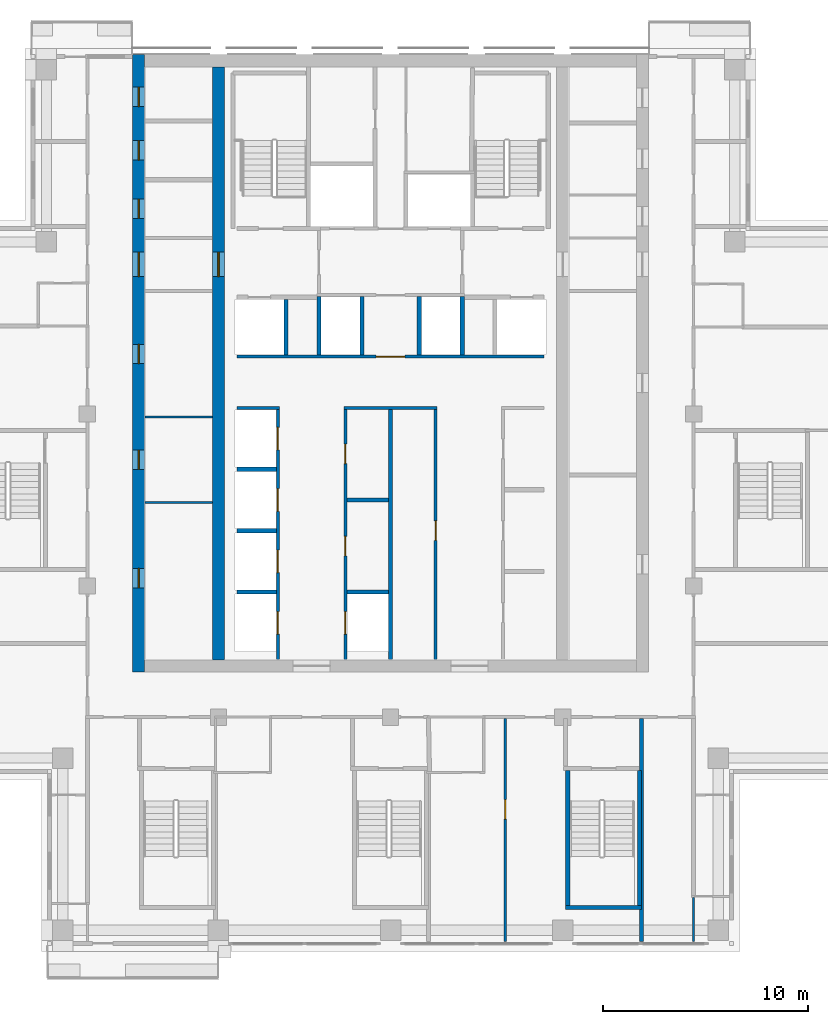
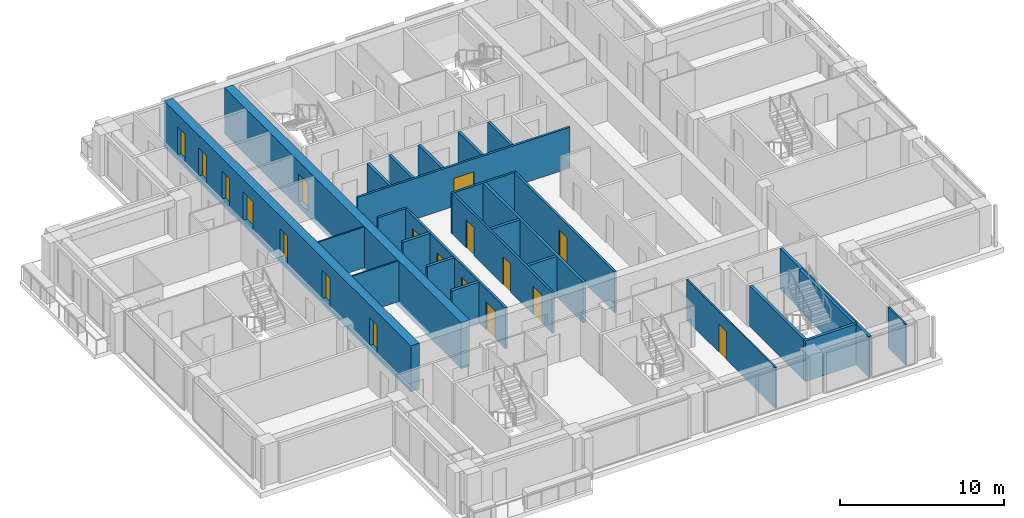
# One storey, part 9 of 16: 27 walls, 18 doors, 18 openings.
"""IFC4 building model written with IfcOpenShell, lengths in metres."""

from ifc_helpers import new_model, si_unit, direction, frame, frame_2d, origin, place, context, subcontext, project, spatial, rectangle, extrude, material, layer, layer_set, type_object, element, fill, save


model = new_model("IFC4")

# Units and contexts
model_context = context("Model", 3, precision=1e-05, world=origin(), true_north=direction((0.0, 1.0)))
body_context = subcontext(model_context, "Body", "Model", "MODEL_VIEW")
ifc_project = project(units=[si_unit("LENGTHUNIT", "METRE"), si_unit("AREAUNIT", "SQUARE_METRE"), si_unit("VOLUMEUNIT", "CUBIC_METRE"), si_unit("PLANEANGLEUNIT", "RADIAN"), si_unit("MASSUNIT", "GRAM", prefix="KILO")], contexts=[model_context])

# Site, building, storey
site_placement = place(None, origin())
site = spatial("IfcSite", under=ifc_project, at=site_placement, CompositionType="ELEMENT")
building_placement = place(site_placement, origin())
building = spatial("IfcBuilding", under=site, at=building_placement, Name="Vermilion Ogive Tower", CompositionType="ELEMENT")
storey_placement = place(building_placement, frame((0.0, 0.0, 179.0)))
storey = spatial("IfcBuildingStorey", under=building, at=storey_placement, Name="L46", CompositionType="ELEMENT", Elevation=179.0)

# Wall, openings, doors
ifc_material_1 = material(Name="Concrete B60", Category="concrete")
ifc_layer_1 = layer(ifc_material_1, 0.60009765625)
ifc_layer_set_1 = layer_set([ifc_layer_1], Name="Core wall 600 B60")
wall_type_1 = type_object("IfcWallType", Name="Core wall 600 B60", PredefinedType="SHEAR", material=ifc_layer_set_1)
wall_1_placement = place(storey_placement, frame((-12.300048828125, -8.39990234375, -0.39990234375), z_axis=(0.0, 0.0, 1.0), x_axis=(0.0, 1.0, 0.0)))
wall_1 = element("IfcWall", 1, at=wall_1_placement, inside=storey, type_object=wall_type_1, Name="L46-CORE-W", PredefinedType="SHEAR", context=body_context, shape_type="SweptSolid", body=[
    extrude(rectangle(XDim=30.14990234375, YDim=0.60009765625, at=frame_2d((15.074951171875, 0.0))), origin(), (0.0, 0.0, 1.0), 3.449951171875),
])
opening_1_placement = place(wall_1_placement, frame((4.112548828125, 0.0, 0.39990234375)))
opening_1 = element("IfcOpeningElement", 2, at=opening_1_placement, cuts=wall_1, Name="Opening DAD067", PredefinedType="OPENING", context=body_context, shape_type="SweptSolid", body=[
    extrude(rectangle(XDim=0.949951171875, YDim=2.10009765625, at=frame_2d((0.47509765625, 1.050048828125))), frame((0.0, 0.31005859375, 0.0), z_axis=(0.0, -1.0, 0.0), x_axis=(1.0, 0.0, 0.0)), (0.0, 0.0, 1.0), 0.6201171875),
])
opening_2_placement = place(wall_1_placement, frame((9.8896484375, 0.0, 0.39990234375)))
opening_2 = element("IfcOpeningElement", 3, at=opening_2_placement, cuts=wall_1, Name="Opening DAD068", PredefinedType="OPENING", context=body_context, shape_type="SweptSolid", body=[
    extrude(rectangle(XDim=0.949951171875, YDim=2.10009765625, at=frame_2d((0.47509765625, 1.050048828125))), frame((0.0, 0.31005859375, 0.0), z_axis=(0.0, -1.0, 0.0), x_axis=(1.0, 0.0, 0.0)), (0.0, 0.0, 1.0), 0.6201171875),
])
opening_3_placement = place(wall_1_placement, frame((15.052001953125, 0.0, 0.39990234375)))
opening_3 = element("IfcOpeningElement", 4, at=opening_3_placement, cuts=wall_1, Name="Opening DAD069", PredefinedType="OPENING", context=body_context, shape_type="SweptSolid", body=[
    extrude(rectangle(XDim=0.949951171875, YDim=2.10009765625, at=frame_2d((0.47509765625, 1.050048828125))), frame((0.0, 0.31005859375, 0.0), z_axis=(0.0, -1.0, 0.0), x_axis=(1.0, 0.0, 0.0)), (0.0, 0.0, 1.0), 0.6201171875),
])
opening_4_placement = place(wall_1_placement, frame((22.1435546875, 0.0, 0.39990234375)))
opening_4 = element("IfcOpeningElement", 5, at=opening_4_placement, cuts=wall_1, Name="Opening DAD070", PredefinedType="OPENING", context=body_context, shape_type="SweptSolid", body=[
    extrude(rectangle(XDim=0.949951171875, YDim=2.10009765625, at=frame_2d((0.47509765625, 1.050048828125))), frame((0.0, 0.31005859375, 0.0), z_axis=(0.0, -1.0, 0.0), x_axis=(1.0, 0.0, 0.0)), (0.0, 0.0, 1.0), 0.6201171875),
])
opening_5_placement = place(wall_1_placement, frame((24.998291015625, 0.0, 0.39990234375)))
opening_5 = element("IfcOpeningElement", 6, at=opening_5_placement, cuts=wall_1, Name="Opening DAD071", PredefinedType="OPENING", context=body_context, shape_type="SweptSolid", body=[
    extrude(rectangle(XDim=0.949951171875, YDim=2.10009765625, at=frame_2d((0.47509765625, 1.050048828125))), frame((0.0, 0.31005859375, 0.0), z_axis=(0.0, -1.0, 0.0), x_axis=(1.0, 0.0, 0.0)), (0.0, 0.0, 1.0), 0.6201171875),
])
opening_6_placement = place(wall_1_placement, frame((27.604736328125, 0.0, 0.39990234375)))
opening_6 = element("IfcOpeningElement", 7, at=opening_6_placement, cuts=wall_1, Name="Opening DAD072", PredefinedType="OPENING", context=body_context, shape_type="SweptSolid", body=[
    extrude(rectangle(XDim=0.949951171875, YDim=2.10009765625, at=frame_2d((0.47509765625, 1.050048828125))), frame((0.0, 0.31005859375, 0.0), z_axis=(0.0, -1.0, 0.0), x_axis=(1.0, 0.0, 0.0)), (0.0, 0.0, 1.0), 0.6201171875),
])
opening_7_placement = place(wall_1_placement, frame((19.300048828125, 0.0, 0.39990234375)))
opening_7 = element("IfcOpeningElement", 8, at=opening_7_placement, cuts=wall_1, Name="Opening DAM018", PredefinedType="OPENING", context=body_context, shape_type="SweptSolid", body=[
    extrude(rectangle(XDim=1.199951171875, YDim=2.10009765625, at=frame_2d((0.60009765625, 1.050048828125))), frame((0.0, 0.31005859375, 0.0), z_axis=(0.0, -1.0, 0.0), x_axis=(1.0, 0.0, 0.0)), (0.0, 0.0, 1.0), 0.6201171875),
])
ifc_material_2 = material(Name="Timber door leaf", Category="wood")
door_type_1 = type_object("IfcDoorType", Name="Link door 1200 x 2100 FD60S", OperationType="SINGLE_SWING_LEFT", PredefinedType="DOOR", material=ifc_material_2)
door_1_placement = place(opening_7_placement, origin())
door_1 = element("IfcDoor", 9, at=door_1_placement, inside=storey, type_object=door_type_1, Name="L46-CKW-XL", OperationType="SINGLE_SWING_LEFT", OverallHeight=2.10009765625, OverallWidth=1.199951171875, PredefinedType="DOOR", context=body_context, shape_type="SweptSolid", body=[
    extrude(rectangle(XDim=1.199951171875, YDim=2.10009765625, at=frame_2d((0.60009765625, 1.050048828125))), frame((0.0, 0.02490234375, 0.0), z_axis=(0.0, -1.0, 0.0), x_axis=(1.0, 0.0, 0.0)), (0.0, 0.0, 1.0), 0.050048828125),
])
fill(opening_7, door_1)
ifc_material_3 = material(Name="Timber door leaf", Category="wood")
door_type_2 = type_object("IfcDoorType", Name="Service door 950 x 2100 FD60", OperationType="SINGLE_SWING_LEFT", PredefinedType="DOOR", material=ifc_material_3)
door_2_placement = place(opening_1_placement, origin())
door_2 = element("IfcDoor", 10, at=door_2_placement, inside=storey, type_object=door_type_2, Name="L46-CKW-XR0", OperationType="SINGLE_SWING_LEFT", OverallHeight=2.10009765625, OverallWidth=0.949951171875, PredefinedType="DOOR", context=body_context, shape_type="SweptSolid", body=[
    extrude(rectangle(XDim=0.949951171875, YDim=2.10009765625, at=frame_2d((0.47509765625, 1.050048828125))), frame((0.0, 0.02490234375, 0.0), z_axis=(0.0, -1.0, 0.0), x_axis=(1.0, 0.0, 0.0)), (0.0, 0.0, 1.0), 0.050048828125),
])
fill(opening_1, door_2)
door_3_placement = place(opening_2_placement, origin())
door_3 = element("IfcDoor", 11, at=door_3_placement, inside=storey, type_object=door_type_2, Name="L46-CKW-XR1", OperationType="SINGLE_SWING_LEFT", OverallHeight=2.10009765625, OverallWidth=0.949951171875, PredefinedType="DOOR", context=body_context, shape_type="SweptSolid", body=[
    extrude(rectangle(XDim=0.949951171875, YDim=2.10009765625, at=frame_2d((0.47509765625, 1.050048828125))), frame((0.0, 0.02490234375, 0.0), z_axis=(0.0, -1.0, 0.0), x_axis=(1.0, 0.0, 0.0)), (0.0, 0.0, 1.0), 0.050048828125),
])
fill(opening_2, door_3)
door_4_placement = place(opening_3_placement, origin())
door_4 = element("IfcDoor", 12, at=door_4_placement, inside=storey, type_object=door_type_2, Name="L46-CKW-XR2", OperationType="SINGLE_SWING_LEFT", OverallHeight=2.10009765625, OverallWidth=0.949951171875, PredefinedType="DOOR", context=body_context, shape_type="SweptSolid", body=[
    extrude(rectangle(XDim=0.949951171875, YDim=2.10009765625, at=frame_2d((0.47509765625, 1.050048828125))), frame((0.0, 0.02490234375, 0.0), z_axis=(0.0, -1.0, 0.0), x_axis=(1.0, 0.0, 0.0)), (0.0, 0.0, 1.0), 0.050048828125),
])
fill(opening_3, door_4)
door_5_placement = place(opening_4_placement, origin())
door_5 = element("IfcDoor", 13, at=door_5_placement, inside=storey, type_object=door_type_2, Name="L46-CKW-XR3", OperationType="SINGLE_SWING_LEFT", OverallHeight=2.10009765625, OverallWidth=0.949951171875, PredefinedType="DOOR", context=body_context, shape_type="SweptSolid", body=[
    extrude(rectangle(XDim=0.949951171875, YDim=2.10009765625, at=frame_2d((0.47509765625, 1.050048828125))), frame((0.0, 0.02490234375, 0.0), z_axis=(0.0, -1.0, 0.0), x_axis=(1.0, 0.0, 0.0)), (0.0, 0.0, 1.0), 0.050048828125),
])
fill(opening_4, door_5)
door_6_placement = place(opening_5_placement, origin())
door_6 = element("IfcDoor", 14, at=door_6_placement, inside=storey, type_object=door_type_2, Name="L46-CKW-XR4", OperationType="SINGLE_SWING_LEFT", OverallHeight=2.10009765625, OverallWidth=0.949951171875, PredefinedType="DOOR", context=body_context, shape_type="SweptSolid", body=[
    extrude(rectangle(XDim=0.949951171875, YDim=2.10009765625, at=frame_2d((0.47509765625, 1.050048828125))), frame((0.0, 0.02490234375, 0.0), z_axis=(0.0, -1.0, 0.0), x_axis=(1.0, 0.0, 0.0)), (0.0, 0.0, 1.0), 0.050048828125),
])
fill(opening_5, door_6)
door_7_placement = place(opening_6_placement, origin())
door_7 = element("IfcDoor", 15, at=door_7_placement, inside=storey, type_object=door_type_2, Name="L46-CKW-XR5", OperationType="SINGLE_SWING_LEFT", OverallHeight=2.10009765625, OverallWidth=0.949951171875, PredefinedType="DOOR", context=body_context, shape_type="SweptSolid", body=[
    extrude(rectangle(XDim=0.949951171875, YDim=2.10009765625, at=frame_2d((0.47509765625, 1.050048828125))), frame((0.0, 0.02490234375, 0.0), z_axis=(0.0, -1.0, 0.0), x_axis=(1.0, 0.0, 0.0)), (0.0, 0.0, 1.0), 0.050048828125),
])
fill(opening_6, door_7)

# Wall, opening, door
wall_2_placement = place(storey_placement, frame((-8.39990234375, -7.800048828125, -0.39990234375), z_axis=(0.0, 0.0, 1.0), x_axis=(0.0, 1.0, 0.0)))
wall_2 = element("IfcWall", 16, at=wall_2_placement, inside=storey, type_object=wall_type_1, Name="L46-CORE-WEB1", PredefinedType="SHEAR", context=body_context, shape_type="SweptSolid", body=[
    extrude(rectangle(XDim=28.949951171875, YDim=0.60009765625, at=frame_2d((14.47509765625, 0.0))), origin(), (0.0, 0.0, 1.0), 3.449951171875),
])
opening_8_placement = place(wall_2_placement, frame((18.699951171875, 0.0, 0.39990234375)))
opening_8 = element("IfcOpeningElement", 17, at=opening_8_placement, cuts=wall_2, Name="Opening DAP013", PredefinedType="OPENING", context=body_context, shape_type="SweptSolid", body=[
    extrude(rectangle(XDim=1.199951171875, YDim=2.10009765625, at=frame_2d((0.60009765625, 1.050048828125))), frame((0.0, 0.31005859375, 0.0), z_axis=(0.0, -1.0, 0.0), x_axis=(1.0, 0.0, 0.0)), (0.0, 0.0, 1.0), 0.6201171875),
])
door_8_placement = place(opening_8_placement, origin())
door_8 = element("IfcDoor", 18, at=door_8_placement, inside=storey, type_object=door_type_1, Name="L46-CKW-XW", OperationType="SINGLE_SWING_LEFT", OverallHeight=2.10009765625, OverallWidth=1.199951171875, PredefinedType="DOOR", context=body_context, shape_type="SweptSolid", body=[
    extrude(rectangle(XDim=1.199951171875, YDim=2.10009765625, at=frame_2d((0.60009765625, 1.050048828125))), frame((0.0, 0.02490234375, 0.0), z_axis=(0.0, -1.0, 0.0), x_axis=(1.0, 0.0, 0.0)), (0.0, 0.0, 1.0), 0.050048828125),
])
fill(opening_8, door_8)

# Walls
ifc_material_4 = material(Name="Gypsum board partition on steel studs", Category="steel")
ifc_layer_2 = layer(ifc_material_4, 0.10009765625)
ifc_layer_set_2 = layer_set([ifc_layer_2], Name="Partition 100 bath")
wall_type_2 = type_object("IfcWallType", Name="Partition 100 bath", PredefinedType="PARTITIONING", material=ifc_layer_set_2)
wall_3_placement = place(storey_placement, frame((14.800048828125, -21.550048828125, 0.0), z_axis=(0.0, 0.0, 1.0), x_axis=(0.0, 1.0, 0.0)))
element("IfcWall", 19, at=wall_3_placement, inside=storey, type_object=wall_type_2, Name="L46-W-W070", PredefinedType="PARTITIONING", context=body_context, shape_type="SweptSolid", body=[
    extrude(rectangle(XDim=2.150146484375, YDim=0.10009765625, at=frame_2d((1.0751953125, 0.0))), origin(), (0.0, 0.0, 1.0), 3.050048828125),
])
for number, where, z_axis, x_axis, name in (
    (20, (-11.9990234375, -0.125, 0.0), (0.0, 0.0, 1.0), (1.0, 0.0, 0.0), "L46-CKW-W-W001"),
    (21, (-11.9990234375, 4.053955078125, 0.0), (0.0, 0.0, 1.0), (1.0, 0.0, 0.0), "L46-CKW-W-W002"),
):
    element("IfcWall", number, at=place(storey_placement, frame(where, z_axis=z_axis, x_axis=x_axis)), inside=storey, type_object=wall_type_2, Name=name, PredefinedType="PARTITIONING", context=body_context, shape_type="SweptSolid", body=[
        extrude(rectangle(XDim=3.298095703125, YDim=0.10009765625, at=frame_2d((1.64892578125, 0.0))), origin(), (0.0, 0.0, 1.0), 3.050048828125),
    ])

# Wall, opening, door
ifc_material_5 = material(Name="Gypsum board partition on steel studs", Category="steel")
ifc_layer_3 = layer(ifc_material_5, 0.10009765625)
ifc_layer_set_3 = layer_set([ifc_layer_3], Name="Partition 100 inner")
wall_type_3 = type_object("IfcWallType", Name="Partition 100 inner", PredefinedType="PARTITIONING", material=ifc_layer_set_3)
wall_4_placement = place(storey_placement, frame((5.60009765625, -21.550048828125, 0.0), z_axis=(0.0, 0.0, 1.0), x_axis=(0.0, 1.0, 0.0)))
wall_4 = element("IfcWall", 22, at=wall_4_placement, inside=storey, type_object=wall_type_3, Name="L46-W-W065", PredefinedType="PARTITIONING", context=body_context, shape_type="SweptSolid", body=[
    extrude(rectangle(XDim=10.875, YDim=0.10009765625, at=frame_2d((5.4375, 0.0))), origin(), (0.0, 0.0, 1.0), 3.050048828125),
])
opening_9_placement = place(wall_4_placement, frame((5.97509765625, 0.0, 0.0)))
opening_9 = element("IfcOpeningElement", 23, at=opening_9_placement, cuts=wall_4, Name="Opening D4G1015", PredefinedType="OPENING", context=body_context, shape_type="SweptSolid", body=[
    extrude(rectangle(XDim=0.949951171875, YDim=2.10009765625, at=frame_2d((0.47509765625, 1.050048828125))), frame((0.0, 0.06005859375, 0.0), z_axis=(0.0, -1.0, 0.0), x_axis=(1.0, 0.0, 0.0)), (0.0, 0.0, 1.0), 0.1201171875),
])
ifc_material_6 = material(Name="Timber door leaf", Category="wood")
door_type_3 = type_object("IfcDoorType", Name="Inner door 950 x 2100 FD30", OperationType="SINGLE_SWING_LEFT", PredefinedType="DOOR", material=ifc_material_6)
door_9_placement = place(opening_9_placement, origin())
door_9 = element("IfcDoor", 24, at=door_9_placement, inside=storey, type_object=door_type_3, Name="L46-D-D015", OperationType="SINGLE_SWING_RIGHT", OverallHeight=2.10009765625, OverallWidth=0.949951171875, PredefinedType="DOOR", context=body_context, shape_type="SweptSolid", body=[
    extrude(rectangle(XDim=0.949951171875, YDim=2.10009765625, at=frame_2d((0.47509765625, 1.050048828125))), frame((0.0, 0.02490234375, 0.0), z_axis=(0.0, -1.0, 0.0), x_axis=(1.0, 0.0, 0.0)), (0.0, 0.0, 1.0), 0.050048828125),
])
fill(opening_9, door_9)

# Walls
ifc_material_7 = material(Name="Gypsum board partition on steel studs", Category="steel")
ifc_layer_4 = layer(ifc_material_7, 0.14990234375)
ifc_layer_set_4 = layer_set([ifc_layer_4], Name="Partition 150 corridor")
wall_type_4 = type_object("IfcWallType", Name="Partition 150 corridor", PredefinedType="PARTITIONING", material=ifc_layer_set_4)
wall_5_placement = place(storey_placement, frame((-7.5, 4.5, 0.0), z_axis=(0.0, 0.0, 1.0), x_axis=(1.0, 0.0, 0.0)))
element("IfcWall", 25, at=wall_5_placement, inside=storey, type_object=wall_type_4, Name="L46-CK-W-W008", PredefinedType="PARTITIONING", context=body_context, shape_type="SweptSolid", body=[
    extrude(rectangle(XDim=2.074951171875, YDim=0.14990234375, at=frame_2d((1.03759765625, 0.0))), origin(), (0.0, 0.0, 1.0), 3.050048828125),
])
wall_6_placement = place(storey_placement, frame((-2.27490234375, 4.5, 0.0), z_axis=(0.0, 0.0, 1.0), x_axis=(1.0, 0.0, 0.0)))
element("IfcWall", 26, at=wall_6_placement, inside=storey, type_object=wall_type_4, Name="L46-CK-W-W009", PredefinedType="PARTITIONING", context=body_context, shape_type="SweptSolid", body=[
    extrude(rectangle(XDim=4.5498046875, YDim=0.14990234375, at=frame_2d((2.27490234375, 0.0))), origin(), (0.0, 0.0, 1.0), 3.050048828125),
])

# Wall, opening, door
wall_7_placement = place(storey_placement, frame((-7.5, 7.0, 0.0), z_axis=(0.0, 0.0, 1.0), x_axis=(1.0, 0.0, 0.0)))
wall_7 = element("IfcWall", 27, at=wall_7_placement, inside=storey, type_object=wall_type_4, Name="L46-CK-W-W011", PredefinedType="PARTITIONING", context=body_context, shape_type="SweptSolid", body=[
    extrude(rectangle(XDim=15.0, YDim=0.14990234375, at=frame_2d((7.5, 0.0))), origin(), (0.0, 0.0, 1.0), 3.050048828125),
])
opening_10_placement = place(wall_7_placement, frame((6.800048828125, 0.0, 0.0)))
opening_10 = element("IfcOpeningElement", 28, at=opening_10_placement, cuts=wall_7, Name="Opening DAA397", PredefinedType="OPENING", context=body_context, shape_type="SweptSolid", body=[
    extrude(rectangle(XDim=1.39990234375, YDim=2.10009765625, at=frame_2d((0.699951171875, 1.050048828125))), frame((0.0, 0.0849609375, 0.0), z_axis=(0.0, -1.0, 0.0), x_axis=(1.0, 0.0, 0.0)), (0.0, 0.0, 1.0), 0.169921875),
])
ifc_material_8 = material(Name="Timber door leaf", Category="wood")
door_type_4 = type_object("IfcDoorType", Name="Lobby door 1400 x 2100 FD60S", OperationType="SINGLE_SWING_LEFT", PredefinedType="DOOR", material=ifc_material_8)
door_10_placement = place(opening_10_placement, origin())
door_10 = element("IfcDoor", 29, at=door_10_placement, inside=storey, type_object=door_type_4, Name="L46-CK-D-D016", OperationType="SINGLE_SWING_RIGHT", OverallHeight=2.10009765625, OverallWidth=1.39990234375, PredefinedType="DOOR", context=body_context, shape_type="SweptSolid", body=[
    extrude(rectangle(XDim=1.39990234375, YDim=2.10009765625, at=frame_2d((0.699951171875, 1.050048828125))), frame((0.0, 0.02490234375, 0.0), z_axis=(0.0, -1.0, 0.0), x_axis=(1.0, 0.0, 0.0)), (0.0, 0.0, 1.0), 0.050048828125),
])
fill(opening_10, door_10)

# Wall, openings, doors
wall_8_placement = place(storey_placement, frame((-5.5, -7.799072265625, 0.0), z_axis=(0.0, 0.0, 1.0), x_axis=(0.0, 1.0, 0.0)))
wall_8 = element("IfcWall", 30, at=wall_8_placement, inside=storey, type_object=wall_type_4, Name="L46-CK-W-W020", PredefinedType="PARTITIONING", context=body_context, shape_type="SweptSolid", body=[
    extrude(rectangle(XDim=12.22412109375, YDim=0.14990234375, at=frame_2d((6.112060546875, 0.0))), origin(), (0.0, 0.0, 1.0), 3.050048828125),
])
opening_11_placement = place(wall_8_placement, frame((1.2490234375, 0.0, 0.0)))
opening_11 = element("IfcOpeningElement", 31, at=opening_11_placement, cuts=wall_8, Name="Opening DAA410", PredefinedType="OPENING", context=body_context, shape_type="SweptSolid", body=[
    extrude(rectangle(XDim=1.10009765625, YDim=2.10009765625, at=frame_2d((0.550048828125, 1.050048828125))), frame((0.0, 0.0849609375, 0.0), z_axis=(0.0, -1.0, 0.0), x_axis=(1.0, 0.0, 0.0)), (0.0, 0.0, 1.0), 0.169921875),
])
opening_12_placement = place(wall_8_placement, frame((4.2490234375, 0.0, 0.0)))
opening_12 = element("IfcOpeningElement", 32, at=opening_12_placement, cuts=wall_8, Name="Opening DAA411", PredefinedType="OPENING", context=body_context, shape_type="SweptSolid", body=[
    extrude(rectangle(XDim=1.10009765625, YDim=2.10009765625, at=frame_2d((0.550048828125, 1.050048828125))), frame((0.0, 0.0849609375, 0.0), z_axis=(0.0, -1.0, 0.0), x_axis=(1.0, 0.0, 0.0)), (0.0, 0.0, 1.0), 0.169921875),
])
opening_13_placement = place(wall_8_placement, frame((7.2490234375, 0.0, 0.0)))
opening_13 = element("IfcOpeningElement", 33, at=opening_13_placement, cuts=wall_8, Name="Opening DAA412", PredefinedType="OPENING", context=body_context, shape_type="SweptSolid", body=[
    extrude(rectangle(XDim=1.10009765625, YDim=2.10009765625, at=frame_2d((0.550048828125, 1.050048828125))), frame((0.0, 0.0849609375, 0.0), z_axis=(0.0, -1.0, 0.0), x_axis=(1.0, 0.0, 0.0)), (0.0, 0.0, 1.0), 0.169921875),
])
opening_14_placement = place(wall_8_placement, frame((10.2490234375, 0.0, 0.0)))
opening_14 = element("IfcOpeningElement", 34, at=opening_14_placement, cuts=wall_8, Name="Opening DAA413", PredefinedType="OPENING", context=body_context, shape_type="SweptSolid", body=[
    extrude(rectangle(XDim=1.10009765625, YDim=2.10009765625, at=frame_2d((0.550048828125, 1.050048828125))), frame((0.0, 0.0849609375, 0.0), z_axis=(0.0, -1.0, 0.0), x_axis=(1.0, 0.0, 0.0)), (0.0, 0.0, 1.0), 0.169921875),
])
ifc_material_9 = material(Name="Stainless steel", Category="steel")
door_type_5 = type_object("IfcDoorType", Name="Lift landing door 1100 x 2100", OperationType="SLIDING_TO_LEFT", PredefinedType="DOOR", material=ifc_material_9)
door_11_placement = place(opening_11_placement, origin())
door_11 = element("IfcDoor", 35, at=door_11_placement, inside=storey, type_object=door_type_5, Name="L46-CK-D-D001", OperationType="SLIDING_TO_LEFT", OverallHeight=2.10009765625, OverallWidth=1.10009765625, PredefinedType="DOOR", context=body_context, shape_type="SweptSolid", body=[
    extrude(rectangle(XDim=1.10009765625, YDim=2.10009765625, at=frame_2d((0.550048828125, 1.050048828125))), frame((0.0, 0.02490234375, 0.0), z_axis=(0.0, -1.0, 0.0), x_axis=(1.0, 0.0, 0.0)), (0.0, 0.0, 1.0), 0.050048828125),
])
fill(opening_11, door_11)
door_12_placement = place(opening_12_placement, origin())
door_12 = element("IfcDoor", 36, at=door_12_placement, inside=storey, type_object=door_type_5, Name="L46-CK-D-D002", OperationType="SLIDING_TO_LEFT", OverallHeight=2.10009765625, OverallWidth=1.10009765625, PredefinedType="DOOR", context=body_context, shape_type="SweptSolid", body=[
    extrude(rectangle(XDim=1.10009765625, YDim=2.10009765625, at=frame_2d((0.550048828125, 1.050048828125))), frame((0.0, 0.02490234375, 0.0), z_axis=(0.0, -1.0, 0.0), x_axis=(1.0, 0.0, 0.0)), (0.0, 0.0, 1.0), 0.050048828125),
])
fill(opening_12, door_12)
door_13_placement = place(opening_13_placement, origin())
door_13 = element("IfcDoor", 37, at=door_13_placement, inside=storey, type_object=door_type_5, Name="L46-CK-D-D003", OperationType="SLIDING_TO_LEFT", OverallHeight=2.10009765625, OverallWidth=1.10009765625, PredefinedType="DOOR", context=body_context, shape_type="SweptSolid", body=[
    extrude(rectangle(XDim=1.10009765625, YDim=2.10009765625, at=frame_2d((0.550048828125, 1.050048828125))), frame((0.0, 0.02490234375, 0.0), z_axis=(0.0, -1.0, 0.0), x_axis=(1.0, 0.0, 0.0)), (0.0, 0.0, 1.0), 0.050048828125),
])
fill(opening_13, door_13)
door_14_placement = place(opening_14_placement, origin())
door_14 = element("IfcDoor", 38, at=door_14_placement, inside=storey, type_object=door_type_5, Name="L46-CK-D-D004", OperationType="SLIDING_TO_LEFT", OverallHeight=2.10009765625, OverallWidth=1.10009765625, PredefinedType="DOOR", context=body_context, shape_type="SweptSolid", body=[
    extrude(rectangle(XDim=1.10009765625, YDim=2.10009765625, at=frame_2d((0.550048828125, 1.050048828125))), frame((0.0, 0.02490234375, 0.0), z_axis=(0.0, -1.0, 0.0), x_axis=(1.0, 0.0, 0.0)), (0.0, 0.0, 1.0), 0.050048828125),
])
fill(opening_14, door_14)

wall_9_placement = place(storey_placement, frame((-2.199951171875, -7.799072265625, 0.0), z_axis=(0.0, 0.0, 1.0), x_axis=(0.0, 1.0, 0.0)))
wall_9 = element("IfcWall", 39, at=wall_9_placement, inside=storey, type_object=wall_type_4, Name="L46-CK-W-W025", PredefinedType="PARTITIONING", context=body_context, shape_type="SweptSolid", body=[
    extrude(rectangle(XDim=12.22412109375, YDim=0.14990234375, at=frame_2d((6.112060546875, 0.0))), origin(), (0.0, 0.0, 1.0), 3.050048828125),
])
opening_15_placement = place(wall_9_placement, frame((1.2490234375, 0.0, 0.0)))
opening_15 = element("IfcOpeningElement", 40, at=opening_15_placement, cuts=wall_9, Name="Opening DAA414", PredefinedType="OPENING", context=body_context, shape_type="SweptSolid", body=[
    extrude(rectangle(XDim=1.10009765625, YDim=2.10009765625, at=frame_2d((0.550048828125, 1.050048828125))), frame((0.0, 0.0849609375, 0.0), z_axis=(0.0, -1.0, 0.0), x_axis=(1.0, 0.0, 0.0)), (0.0, 0.0, 1.0), 0.169921875),
])
opening_16_placement = place(wall_9_placement, frame((5.073974609375, 0.0, 0.0)))
opening_16 = element("IfcOpeningElement", 41, at=opening_16_placement, cuts=wall_9, Name="Opening DAA400", PredefinedType="OPENING", context=body_context, shape_type="SweptSolid", body=[
    extrude(rectangle(XDim=0.949951171875, YDim=2.10009765625, at=frame_2d((0.47509765625, 1.050048828125))), frame((0.0, 0.0849609375, 0.0), z_axis=(0.0, -1.0, 0.0), x_axis=(1.0, 0.0, 0.0)), (0.0, 0.0, 1.0), 0.169921875),
])
opening_17_placement = place(wall_9_placement, frame((9.573974609375, 0.0, 0.0)))
opening_17 = element("IfcOpeningElement", 42, at=opening_17_placement, cuts=wall_9, Name="Opening DAA401", PredefinedType="OPENING", context=body_context, shape_type="SweptSolid", body=[
    extrude(rectangle(XDim=0.949951171875, YDim=2.10009765625, at=frame_2d((0.47509765625, 1.050048828125))), frame((0.0, 0.0849609375, 0.0), z_axis=(0.0, -1.0, 0.0), x_axis=(1.0, 0.0, 0.0)), (0.0, 0.0, 1.0), 0.169921875),
])
door_15_placement = place(opening_15_placement, origin())
door_15 = element("IfcDoor", 43, at=door_15_placement, inside=storey, type_object=door_type_5, Name="L46-CK-D-D005", OperationType="SLIDING_TO_LEFT", OverallHeight=2.10009765625, OverallWidth=1.10009765625, PredefinedType="DOOR", context=body_context, shape_type="SweptSolid", body=[
    extrude(rectangle(XDim=1.10009765625, YDim=2.10009765625, at=frame_2d((0.550048828125, 1.050048828125))), frame((0.0, 0.02490234375, 0.0), z_axis=(0.0, -1.0, 0.0), x_axis=(1.0, 0.0, 0.0)), (0.0, 0.0, 1.0), 0.050048828125),
])
fill(opening_15, door_15)
door_16_placement = place(opening_16_placement, origin())
door_16 = element("IfcDoor", 44, at=door_16_placement, inside=storey, type_object=door_type_2, Name="L46-CK-D-D006", OperationType="SINGLE_SWING_LEFT", OverallHeight=2.10009765625, OverallWidth=0.949951171875, PredefinedType="DOOR", context=body_context, shape_type="SweptSolid", body=[
    extrude(rectangle(XDim=0.949951171875, YDim=2.10009765625, at=frame_2d((0.47509765625, 1.050048828125))), frame((0.0, 0.02490234375, 0.0), z_axis=(0.0, -1.0, 0.0), x_axis=(1.0, 0.0, 0.0)), (0.0, 0.0, 1.0), 0.050048828125),
])
fill(opening_16, door_16)
door_17_placement = place(opening_17_placement, origin())
door_17 = element("IfcDoor", 45, at=door_17_placement, inside=storey, type_object=door_type_2, Name="L46-CK-D-D007", OperationType="SINGLE_SWING_RIGHT", OverallHeight=2.10009765625, OverallWidth=0.949951171875, PredefinedType="DOOR", context=body_context, shape_type="SweptSolid", body=[
    extrude(rectangle(XDim=0.949951171875, YDim=2.10009765625, at=frame_2d((0.47509765625, 1.050048828125))), frame((0.0, 0.02490234375, 0.0), z_axis=(0.0, -1.0, 0.0), x_axis=(1.0, 0.0, 0.0)), (0.0, 0.0, 1.0), 0.050048828125),
])
fill(opening_17, door_17)

# Wall, opening, door
wall_10_placement = place(storey_placement, frame((2.199951171875, -7.799072265625, 0.0), z_axis=(0.0, 0.0, 1.0), x_axis=(0.0, 1.0, 0.0)))
wall_10 = element("IfcWall", 46, at=wall_10_placement, inside=storey, type_object=wall_type_4, Name="L46-CK-W-W032", PredefinedType="PARTITIONING", context=body_context, shape_type="SweptSolid", body=[
    extrude(rectangle(XDim=12.22412109375, YDim=0.14990234375, at=frame_2d((6.112060546875, 0.0))), origin(), (0.0, 0.0, 1.0), 3.050048828125),
])
opening_18_placement = place(wall_10_placement, frame((5.823974609375, 0.0, 0.0)))
opening_18 = element("IfcOpeningElement", 47, at=opening_18_placement, cuts=wall_10, Name="Opening DAA402", PredefinedType="OPENING", context=body_context, shape_type="SweptSolid", body=[
    extrude(rectangle(XDim=0.949951171875, YDim=2.10009765625, at=frame_2d((0.47509765625, 1.050048828125))), frame((0.0, 0.0849609375, 0.0), z_axis=(0.0, -1.0, 0.0), x_axis=(1.0, 0.0, 0.0)), (0.0, 0.0, 1.0), 0.169921875),
])
door_18_placement = place(opening_18_placement, origin())
door_18 = element("IfcDoor", 48, at=door_18_placement, inside=storey, type_object=door_type_2, Name="L46-CK-D-D008", OperationType="SINGLE_SWING_RIGHT", OverallHeight=2.10009765625, OverallWidth=0.949951171875, PredefinedType="DOOR", context=body_context, shape_type="SweptSolid", body=[
    extrude(rectangle(XDim=0.949951171875, YDim=2.10009765625, at=frame_2d((0.47509765625, 1.050048828125))), frame((0.0, 0.02490234375, 0.0), z_axis=(0.0, -1.0, 0.0), x_axis=(1.0, 0.0, 0.0)), (0.0, 0.0, 1.0), 0.050048828125),
])
fill(opening_18, door_18)

# Walls
ifc_material_10 = material(Name="Gypsum board partition on steel studs", Category="steel")
ifc_layer_5 = layer(ifc_material_10, 0.199951171875)
ifc_layer_set_5 = layer_set([ifc_layer_5], Name="Partition 200 party")
wall_type_5 = type_object("IfcWallType", Name="Partition 200 party", PredefinedType="PARTITIONING", material=ifc_layer_set_5)
wall_11_placement = place(storey_placement, frame((-7.5, -4.5, 0.0), z_axis=(0.0, 0.0, 1.0), x_axis=(1.0, 0.0, 0.0)))
element("IfcWall", 49, at=wall_11_placement, inside=storey, type_object=wall_type_5, Name="L46-CK-W-W001", PredefinedType="PARTITIONING", context=body_context, shape_type="SweptSolid", body=[
    extrude(rectangle(XDim=1.925048828125, YDim=0.199951171875, at=frame_2d((0.96240234375, 0.0))), origin(), (0.0, 0.0, 1.0), 3.050048828125),
])
wall_12_placement = place(storey_placement, frame((-2.125, -4.5, 0.0), z_axis=(0.0, 0.0, 1.0), x_axis=(1.0, 0.0, 0.0)))
element("IfcWall", 50, at=wall_12_placement, inside=storey, type_object=wall_type_5, Name="L46-CK-W-W002", PredefinedType="PARTITIONING", context=body_context, shape_type="SweptSolid", body=[
    extrude(rectangle(XDim=2.02490234375, YDim=0.199951171875, at=frame_2d((1.012451171875, 0.0))), origin(), (0.0, 0.0, 1.0), 3.050048828125),
])
wall_13_placement = place(storey_placement, frame((-7.5, -1.5, 0.0), z_axis=(0.0, 0.0, 1.0), x_axis=(1.0, 0.0, 0.0)))
element("IfcWall", 51, at=wall_13_placement, inside=storey, type_object=wall_type_5, Name="L46-CK-W-W004", PredefinedType="PARTITIONING", context=body_context, shape_type="SweptSolid", body=[
    extrude(rectangle(XDim=1.925048828125, YDim=0.199951171875, at=frame_2d((0.96240234375, 0.0))), origin(), (0.0, 0.0, 1.0), 3.050048828125),
])
wall_14_placement = place(storey_placement, frame((-2.125, 0.0, 0.0), z_axis=(0.0, 0.0, 1.0), x_axis=(1.0, 0.0, 0.0)))
element("IfcWall", 52, at=wall_14_placement, inside=storey, type_object=wall_type_5, Name="L46-CK-W-W005", PredefinedType="PARTITIONING", context=body_context, shape_type="SweptSolid", body=[
    extrude(rectangle(XDim=2.02490234375, YDim=0.199951171875, at=frame_2d((1.012451171875, 0.0))), origin(), (0.0, 0.0, 1.0), 3.050048828125),
])
wall_15_placement = place(storey_placement, frame((-7.5, 1.5, 0.0), z_axis=(0.0, 0.0, 1.0), x_axis=(1.0, 0.0, 0.0)))
element("IfcWall", 53, at=wall_15_placement, inside=storey, type_object=wall_type_5, Name="L46-CK-W-W007", PredefinedType="PARTITIONING", context=body_context, shape_type="SweptSolid", body=[
    extrude(rectangle(XDim=1.925048828125, YDim=0.199951171875, at=frame_2d((0.96240234375, 0.0))), origin(), (0.0, 0.0, 1.0), 3.050048828125),
])
wall_16_placement = place(storey_placement, frame((-5.10009765625, 7.074951171875, 0.0), z_axis=(0.0, 0.0, 1.0), x_axis=(0.0, 1.0, 0.0)))
element("IfcWall", 54, at=wall_16_placement, inside=storey, type_object=wall_type_5, Name="L46-CK-W-W021", PredefinedType="PARTITIONING", context=body_context, shape_type="SweptSolid", body=[
    extrude(rectangle(XDim=2.72509765625, YDim=0.199951171875, at=frame_2d((1.362548828125, 0.0))), origin(), (0.0, 0.0, 1.0), 3.050048828125),
])
for number, where, z_axis, x_axis, name in (
    (55, (-3.5, 7.074951171875, 0.0), (0.0, 0.0, 1.0), (0.0, 1.0, 0.0), "L46-CK-W-W023"),
    (56, (-1.39990234375, 7.074951171875, 0.0), (0.0, 0.0, 1.0), (0.0, 1.0, 0.0), "L46-CK-W-W026"),
):
    element("IfcWall", number, at=place(storey_placement, frame(where, z_axis=z_axis, x_axis=x_axis)), inside=storey, type_object=wall_type_5, Name=name, PredefinedType="PARTITIONING", context=body_context, shape_type="SweptSolid", body=[
        extrude(rectangle(XDim=2.85009765625, YDim=0.199951171875, at=frame_2d((1.425048828125, 0.0))), origin(), (0.0, 0.0, 1.0), 3.050048828125),
    ])
wall_17_placement = place(storey_placement, frame((0.0, -7.799072265625, 0.0), z_axis=(0.0, 0.0, 1.0), x_axis=(0.0, 1.0, 0.0)))
element("IfcWall", 57, at=wall_17_placement, inside=storey, type_object=wall_type_5, Name="L46-CK-W-W028", PredefinedType="PARTITIONING", context=body_context, shape_type="SweptSolid", body=[
    extrude(rectangle(XDim=12.22412109375, YDim=0.199951171875, at=frame_2d((6.112060546875, 0.0))), origin(), (0.0, 0.0, 1.0), 3.050048828125),
])
for number, where, z_axis, x_axis, name in (
    (58, (1.39990234375, 7.074951171875, 0.0), (0.0, 0.0, 1.0), (0.0, 1.0, 0.0), "L46-CK-W-W031"),
    (59, (3.5, 7.074951171875, 0.0), (0.0, 0.0, 1.0), (0.0, 1.0, 0.0), "L46-CK-W-W033"),
):
    element("IfcWall", number, at=place(storey_placement, frame(where, z_axis=z_axis, x_axis=x_axis)), inside=storey, type_object=wall_type_5, Name=name, PredefinedType="PARTITIONING", context=body_context, shape_type="SweptSolid", body=[
        extrude(rectangle(XDim=2.85009765625, YDim=0.199951171875, at=frame_2d((1.425048828125, 0.0))), origin(), (0.0, 0.0, 1.0), 3.050048828125),
    ])
ifc_material_11 = material(Name="Concrete B60", Category="concrete")
ifc_layer_6 = layer(ifc_material_11, 0.199951171875)
ifc_layer_set_6 = layer_set([ifc_layer_6], Name="Stair shaft wall 200 Concrete B60")
wall_type_6 = type_object("IfcWallType", Name="Stair shaft wall 200 Concrete B60", PredefinedType="SOLIDWALL", material=ifc_layer_set_6)
wall_18_placement = place(storey_placement, frame((8.552001953125, -19.89990234375, 0.0), z_axis=(0.0, 0.0, 1.0), x_axis=(1.0, 0.0, 0.0)))
element("IfcWall", 60, at=wall_18_placement, inside=storey, type_object=wall_type_6, Name="L46-W-W004", PredefinedType="SOLIDWALL", context=body_context, shape_type="SweptSolid", body=[
    extrude(rectangle(XDim=3.696044921875, YDim=0.199951171875, at=frame_2d((1.84814453125, 0.0))), origin(), (0.0, 0.0, 1.0), 3.050048828125),
])
for number, where, z_axis, x_axis, name in (
    (61, (8.64990234375, -19.798095703125, 0.0), (0.0, 0.0, 1.0), (0.0, 1.0, 0.0), "L46-W-W067"),
    (62, (12.14990234375, -19.798095703125, 0.0), (0.0, 0.0, 1.0), (0.0, 1.0, 0.0), "L46-W-W068"),
):
    element("IfcWall", number, at=place(storey_placement, frame(where, z_axis=z_axis, x_axis=x_axis)), inside=storey, type_object=wall_type_6, Name=name, PredefinedType="SOLIDWALL", context=body_context, shape_type="SweptSolid", body=[
        extrude(rectangle(XDim=6.59619140625, YDim=0.199951171875, at=frame_2d((3.298095703125, 0.0))), origin(), (0.0, 0.0, 1.0), 3.050048828125),
    ])
wall_19_placement = place(storey_placement, frame((12.25, -21.550048828125, 0.0), z_axis=(0.0, 0.0, 1.0), x_axis=(0.0, 1.0, 0.0)))
element("IfcWall", 63, at=wall_19_placement, inside=storey, type_object=wall_type_6, Name="L46-W-W069-A", PredefinedType="SOLIDWALL", context=body_context, shape_type="SweptSolid", body=[
    extrude(rectangle(XDim=10.875, YDim=0.199951171875, at=frame_2d((5.4375, 0.0))), origin(), (0.0, 0.0, 1.0), 3.050048828125),
])

save(model, "model.ifc")
